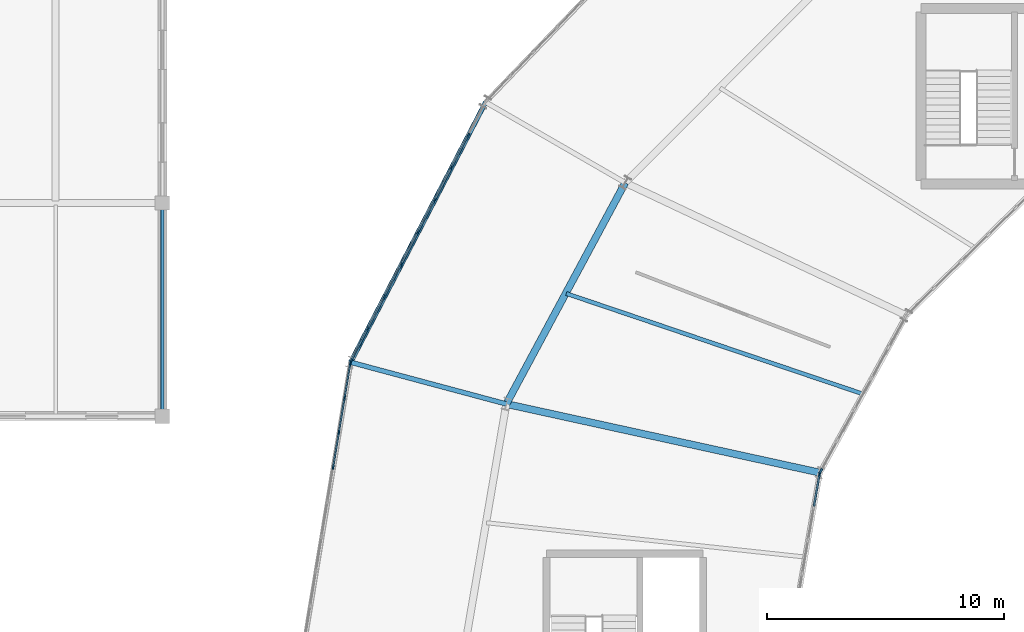
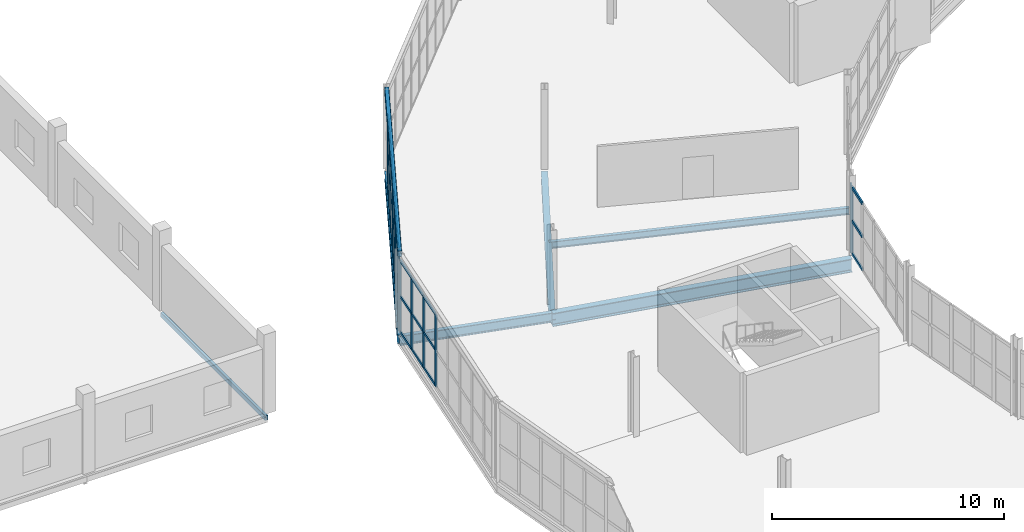
# One storey, part 57 of 161: 47 members, 7 beams, 4 elements without a shape of their own.
"""IFC4 building model written with IfcOpenShell, lengths in metres."""

import ifcopenshell
import ifcopenshell.guid

model = None  # the IFC model being written
_history = None  # IfcOwnerHistory: only IFC2X3 demands one
_inside = {}  # id of a spatial element -> (the spatial element, [elements in it])
_under = {}  # id of a project, library or spatial element -> (it, [spatial elements below it])
_declared = {}  # id of a project -> (the project, [libraries it declares])
_typed = {}  # id of a type object -> (the type object, [elements of that type])
_made_of = {}  # id of a material, layer set ... -> (it, [elements and type objects made of it])


def new_model(schema):
    """Start an empty IFC model of exactly this schema.

    Asked for "IFC4X3", IfcOpenShell would pick the latest addendum, in which some entities
    have other attributes; the version numbers below select the first issue.
    IFC2X3 requires an IfcOwnerHistory on every rooted entity: one is made here for all.
    """
    global model, _history
    if schema == "IFC4X3":
        model = ifcopenshell.file(schema_version=(4, 3, 0, 0))
    else:
        model = ifcopenshell.file(schema=schema)
    _inside.clear()
    _under.clear()
    _declared.clear()
    _typed.clear()
    _made_of.clear()
    _history = None
    if model.schema == "IFC2X3":
        org = make("IfcOrganization", Name="unknown")
        user = make(
            "IfcPersonAndOrganization",
            ThePerson=make("IfcPerson", FamilyName="unknown"),
            TheOrganization=org,
        )
        app = make(
            "IfcApplication",
            ApplicationDeveloper=org,
            Version="unknown",
            ApplicationFullName="unknown",
            ApplicationIdentifier="unknown",
        )
        _history = make(
            "IfcOwnerHistory",
            OwningUser=user,
            OwningApplication=app,
            ChangeAction="ADDED",
            CreationDate=0,
        )
    return model


def make(cls, **values):
    """One entity of the class cls with the attributes given. An attribute that is None is left unset."""
    return model.create_entity(
        cls, **{name: value for name, value in values.items() if value is not None}
    )


def rooted(cls, **values):
    """An entity with a GlobalId (a new one), such as an element, a storey or a relation."""
    return make(cls, GlobalId=ifcopenshell.guid.new(), OwnerHistory=_history, **values)


def si_unit(unit_type, name, prefix=None):
    """IfcSIUnit, for example si_unit("LENGTHUNIT", "METRE", prefix="MILLI")."""
    return make("IfcSIUnit", UnitType=unit_type, Prefix=prefix, Name=name)


def assignment(units):
    """IfcUnitAssignment: the units of a project."""
    return None if units is None else make("IfcUnitAssignment", Units=units)


def point(xyz):
    """IfcCartesianPoint."""
    return None if xyz is None else make("IfcCartesianPoint", Coordinates=xyz)


def direction(xyz):
    """IfcDirection."""
    return None if xyz is None else make("IfcDirection", DirectionRatios=xyz)


def frame(location, z_axis=None, x_axis=None):
    """IfcAxis2Placement3D, a coordinate frame: its origin and axes. An axis left out is left unset."""
    return make(
        "IfcAxis2Placement3D",
        Location=point(location),
        Axis=direction(z_axis),
        RefDirection=direction(x_axis),
    )


def frame_2d(location, x_axis=None):
    """IfcAxis2Placement2D, a coordinate frame in the plane: its origin and x axis."""
    return make(
        "IfcAxis2Placement2D", Location=point(location), RefDirection=direction(x_axis)
    )


def origin():
    """The frame at (0, 0, 0) with its axes left unset."""
    return frame((0.0, 0.0, 0.0))


def origin_2d():
    """The frame at (0, 0) in the plane with its x axis left unset."""
    return frame_2d((0.0, 0.0))


def place(relative_to, where):
    """IfcLocalPlacement: puts the frame where relative to a parent placement (None: the world)."""
    return make(
        "IfcLocalPlacement", PlacementRelTo=relative_to, RelativePlacement=where
    )


def context(
    kind, dimensions, precision=None, world=None, true_north=None, identifier=None
):
    """IfcGeometricRepresentationContext, for example the 3D "Model" context."""
    return make(
        "IfcGeometricRepresentationContext",
        ContextIdentifier=identifier,
        ContextType=kind,
        CoordinateSpaceDimension=dimensions,
        Precision=precision,
        WorldCoordinateSystem=world,
        TrueNorth=true_north,
    )


def subcontext(parent, identifier, kind, view, scale=None):
    """IfcGeometricRepresentationSubContext, for example "Body" below "Model"."""
    return make(
        "IfcGeometricRepresentationSubContext",
        ContextIdentifier=identifier,
        ContextType=kind,
        ParentContext=parent,
        TargetScale=scale,
        TargetView=view,
    )


def project(units=None, contexts=None):
    """IfcProject with its units and contexts."""
    return rooted(
        "IfcProject",
        Name="project",
        RepresentationContexts=contexts,
        UnitsInContext=assignment(units),
    )


def spatial(cls, under=None, at=None, **own):
    """A site, building, storey or space (cls), placed at a placement, below another one or the project."""
    s = rooted(cls, ObjectPlacement=at, **own)
    if under is not None:
        _under.setdefault(under.id(), (under, []))[1].append(s)
    return s


def profile(cls, at=None, kind="AREA", **sizes):
    """A parametric profile (cls). Its sizes go by their IFC names, for example OverallWidth=200.0."""
    return make(cls, ProfileType=kind, Position=at, **sizes)


def rectangle(**sizes):
    """IfcRectangleProfileDef."""
    return profile("IfcRectangleProfileDef", **sizes)


def hollow_rectangle(**sizes):
    """IfcRectangleHollowProfileDef."""
    return profile("IfcRectangleHollowProfileDef", **sizes)


def i_section(**sizes):
    """IfcIShapeProfileDef."""
    return profile("IfcIShapeProfileDef", **sizes)


def extrude(swept, where, along, depth):
    """IfcExtrudedAreaSolid: the profile swept, set in the frame where, extruded along a direction by depth."""
    return make(
        "IfcExtrudedAreaSolid",
        SweptArea=swept,
        Position=where,
        ExtrudedDirection=direction(along),
        Depth=depth,
    )


def shape(context_of_items, identifier, shape_type, items):
    """IfcShapeRepresentation: the items that make up one representation, for example the "Body"."""
    return make(
        "IfcShapeRepresentation",
        ContextOfItems=context_of_items,
        RepresentationIdentifier=identifier,
        RepresentationType=shape_type,
        Items=items,
    )


def material(Name=None, Category=None):
    """IfcMaterial."""
    return make("IfcMaterial", Name=Name, Category=Category)


def material_profile(
    of_material, cross_section, Name=None, Category=None, Priority=None
):
    """IfcMaterialProfile: a cross section and its material."""
    return make(
        "IfcMaterialProfile",
        Name=Name,
        Material=of_material,
        Profile=cross_section,
        Priority=Priority,
        Category=Category,
    )


def profile_set(profiles, Name=None, composite=None):
    """IfcMaterialProfileSet."""
    return make(
        "IfcMaterialProfileSet",
        Name=Name,
        MaterialProfiles=profiles,
        CompositeProfile=composite,
    )


def made_of(thing, what):
    """Note that an element or type object is made of a material, layer set ...; save() writes the relation."""
    if what is not None:
        _made_of.setdefault(what.id(), (what, []))[1].append(thing)
    return thing


def type_object(cls, material=None, **own):
    """A type object (cls), such as IfcWallType, which elements share."""
    return made_of(rooted(cls, **own), material)


def element(
    cls,
    number,
    at=None,
    inside=None,
    cuts=None,
    type_object=None,
    material=None,
    context=None,
    identifier="Body",
    shape_type=None,
    held_by="IfcProductDefinitionShape",
    body=None,
    shapes=None,
    **own,
):
    """One element of the class cls, such as IfcWall. Its Tag is "e" and its number.

    at: its placement. inside: the storey or other place that contains it. cuts: it is an
    opening in that element (IfcRelVoidsElement). A single representation is given by context,
    identifier, shape_type and body (its items); several are given by shapes. held_by: the class
    of the entity that holds the representations. save() writes the other relations.
    """
    e = rooted(cls, Tag="e%d" % number, ObjectPlacement=at, **own)
    if body is not None:
        shapes = [shape(context, identifier, shape_type, body)]
    if shapes is not None:
        e.Representation = make(held_by, Representations=shapes)
    if inside is not None:
        _inside.setdefault(inside.id(), (inside, []))[1].append(e)
    if cuts is not None:
        rooted(
            "IfcRelVoidsElement", RelatingBuildingElement=cuts, RelatedOpeningElement=e
        )
    if type_object is not None:
        _typed.setdefault(type_object.id(), (type_object, []))[1].append(e)
    return made_of(e, material)


def aggregate(whole, parts):
    """IfcRelAggregates: a whole, such as a stair, and the parts it consists of."""
    return rooted("IfcRelAggregates", RelatingObject=whole, RelatedObjects=parts)


def save(model, path):
    """Write the relations noted so far, then the file.

    IfcRelAggregates (storeys below a building ...), IfcRelContainedInSpatialStructure (elements
    in a storey), IfcRelDefinesByType, IfcRelAssociatesMaterial and IfcRelDeclares: one each for
    every whole, place, type object, material and project.
    """
    for whole, parts in _under.values():
        aggregate(whole, parts)
    for where, things in _inside.values():
        rooted(
            "IfcRelContainedInSpatialStructure",
            RelatedElements=things,
            RelatingStructure=where,
        )
    for kind, things in _typed.values():
        rooted("IfcRelDefinesByType", RelatedObjects=things, RelatingType=kind)
    for what, things in _made_of.values():
        rooted("IfcRelAssociatesMaterial", RelatedObjects=things, RelatingMaterial=what)
    for by, libraries in _declared.values():
        rooted("IfcRelDeclares", RelatingContext=by, RelatedDefinitions=libraries)
    model.write(path)


model = new_model("IFC4")

# Units and contexts
model_context = context("Model", 3, precision=1e-05, world=origin(), true_north=direction((0.0, 1.0)))
body_context = subcontext(model_context, "Body", "Model", "MODEL_VIEW")
ifc_project = project(units=[si_unit("LENGTHUNIT", "METRE"), si_unit("AREAUNIT", "SQUARE_METRE"), si_unit("VOLUMEUNIT", "CUBIC_METRE"), si_unit("PLANEANGLEUNIT", "RADIAN"), si_unit("MASSUNIT", "GRAM", prefix="KILO")], contexts=[model_context])

# Site, building, storey
site_placement = place(None, origin())
site = spatial("IfcSite", under=ifc_project, at=site_placement, CompositionType="ELEMENT")
building_placement = place(site_placement, origin())
building = spatial("IfcBuilding", under=site, at=building_placement, Name="Kildeholm Park Wholesale Market", CompositionType="ELEMENT")
storey_placement = place(building_placement, frame((0.0, 0.0, 5.39990234375)))
storey = spatial("IfcBuildingStorey", under=building, at=storey_placement, Name="L01", CompositionType="ELEMENT", Elevation=5.39990234375)

# Beams
ifc_material_1 = material(Name="Steel S355", Category="steel")
ifc_material_profile_1 = material_profile(ifc_material_1, i_section(OverallWidth=0.300048828125, OverallDepth=0.699951171875, WebThickness=0.01708984375, FlangeThickness=0.031982421875, FilletRadius=0.027099609375, at=origin_2d()), Name="HEB 700")
ifc_profile_set_1 = profile_set([ifc_material_profile_1], Name="Steel S355")
beam_type_1 = type_object("IfcBeamType", Name="Beam B-G01 HEB 700", PredefinedType="BEAM", material=ifc_profile_set_1)
beam_1_placement = place(storey_placement, frame((63.743896484375, 96.617919921875, -0.599853515625), z_axis=(-0.976846137752, 0.213943037181, 0.0), x_axis=(-0.213943037181, -0.976846137752, 0.0)))
element("IfcBeam", 1, at=beam_1_placement, inside=storey, type_object=beam_type_1, Name="Beam BM-V1-L01-R1-11 BM-0100", PredefinedType="BEAM", context=body_context, shape_type="SweptSolid", body=[
    extrude(i_section(OverallWidth=0.300048828125, OverallDepth=0.699951171875, WebThickness=0.01708984375, FlangeThickness=0.031982421875, FilletRadius=0.027099609375, at=origin_2d()), origin(), (0.0, 0.0, 1.0), 13.546630859375),
])
ifc_material_profile_2 = material_profile(ifc_material_1, i_section(OverallWidth=0.18994140625, OverallDepth=0.449951171875, WebThickness=0.009521484375, FlangeThickness=0.0146484375, FilletRadius=0.02099609375, at=origin_2d()), Name="IPE 450")
ifc_profile_set_2 = profile_set([ifc_material_profile_2], Name="Steel S355")
beam_type_2 = type_object("IfcBeamType", Name="Beam B-P02 IPE 450", PredefinedType="BEAM", material=ifc_profile_set_2)
beam_2_placement = place(storey_placement, frame((49.636962890625, 112.25, -0.474853515625), z_axis=(-0.460622041592, -0.887596380569, 0.0), x_axis=(0.887596380569, -0.460622041592, 0.0)))
element("IfcBeam", 2, at=beam_2_placement, inside=storey, type_object=beam_type_2, Name="Beam BM-V1-L01-CO-10 BM-0095", PredefinedType="BEAM", context=body_context, shape_type="SweptSolid", body=[
    extrude(i_section(OverallWidth=0.18994140625, OverallDepth=0.449951171875, WebThickness=0.009521484375, FlangeThickness=0.0146484375, FilletRadius=0.02099609375, at=origin_2d()), origin(), (0.0, 0.0, 1.0), 12.36376953125),
])
ifc_material_profile_3 = material_profile(ifc_material_1, i_section(OverallWidth=0.199951171875, OverallDepth=0.5, WebThickness=0.01025390625, FlangeThickness=0.01611328125, FilletRadius=0.02099609375, at=origin_2d()), Name="IPE 500")
ifc_profile_set_3 = profile_set([ifc_material_profile_3], Name="Steel S355")
beam_type_3 = type_object("IfcBeamType", Name="Beam B-P03 IPE 500", PredefinedType="BEAM", material=ifc_profile_set_3)
beam_3_placement = place(storey_placement, frame((50.510986328125, 99.51611328125, -0.5), z_axis=(-0.965941161837, 0.258761805275, 0.0), x_axis=(-0.258761805275, -0.965941161837, 0.0)))
element("IfcBeam", 3, at=beam_3_placement, inside=storey, type_object=beam_type_3, Name="Beam BM-V1-L01-R2-11 BM-0102", PredefinedType="BEAM", context=body_context, shape_type="SweptSolid", body=[
    extrude(i_section(OverallWidth=0.199951171875, OverallDepth=0.5, WebThickness=0.01025390625, FlangeThickness=0.01611328125, FilletRadius=0.02099609375, at=origin_2d()), origin(), (0.0, 0.0, 1.0), 6.80078125),
])
ifc_material_profile_4 = material_profile(ifc_material_1, i_section(OverallWidth=0.300048828125, OverallDepth=0.43994140625, WebThickness=0.011474609375, FlangeThickness=0.02099609375, FilletRadius=0.027099609375, at=origin_2d()), Name="HEA 450")
ifc_profile_set_4 = profile_set([ifc_material_profile_4], Name="Steel S355")
beam_type_4 = type_object("IfcBeamType", Name="Beam B-R02 HEA 450", PredefinedType="BEAM", material=ifc_profile_set_4)
beam_4_placement = place(storey_placement, frame((55.52587890625, 108.85009765625, -0.469970703125), z_axis=(-0.473287580572, -0.880907978211, 0.0), x_axis=(0.880907978211, -0.473287580572, 0.0)))
element("IfcBeam", 4, at=beam_4_placement, inside=storey, type_object=beam_type_4, Name="Beam BM-V1-L01-CM-10 BM-0094", PredefinedType="BEAM", context=body_context, shape_type="SweptSolid", body=[
    extrude(i_section(OverallWidth=0.300048828125, OverallDepth=0.43994140625, WebThickness=0.011474609375, FlangeThickness=0.02099609375, FilletRadius=0.027099609375, at=origin_2d()), origin(), (0.0, 0.0, 1.0), 10.595947265625),
])
ifc_material_profile_5 = material_profile(ifc_material_1, i_section(OverallWidth=0.169921875, OverallDepth=0.360107421875, WebThickness=0.008056640625, FlangeThickness=0.0126953125, FilletRadius=0.01806640625, at=origin_2d()), Name="IPE 360")
ifc_profile_set_5 = profile_set([ifc_material_profile_5], Name="Steel S355")
beam_type_5 = type_object("IfcBeamType", Name="Beam J-04 IPE 360", PredefinedType="JOIST", material=ifc_profile_set_5)
beam_5_placement = place(storey_placement, frame((65.548095703125, 99.9404296875, -0.429931640625), z_axis=(-0.947177362485, 0.320710218103, 0.0), x_axis=(-0.320710218103, -0.947177362485, 0.0)))
element("IfcBeam", 5, at=beam_5_placement, inside=storey, type_object=beam_type_5, Name="Beam JT-V1-L01-10 BM-0098", PredefinedType="JOIST", context=body_context, shape_type="SweptSolid", body=[
    extrude(i_section(OverallWidth=0.169921875, OverallDepth=0.360107421875, WebThickness=0.008056640625, FlangeThickness=0.0126953125, FilletRadius=0.01806640625, at=origin_2d()), origin(), (0.0, 0.0, 1.0), 13.20849609375),
])
ifc_material_profile_6 = material_profile(ifc_material_1, hollow_rectangle(XDim=0.199951171875, YDim=0.300048828125, WallThickness=0.012451171875, InnerFilletRadius=0.012451171875, OuterFilletRadius=0.02490234375, at=origin_2d()), Name="RHS 300x200x12.5")
ifc_profile_set_6 = profile_set([ifc_material_profile_6], Name="Steel S355")
beam_type_6 = type_object("IfcBeamType", Name="Beam SP-01 RHS 300x200x12.5", PredefinedType="SPANDREL", material=ifc_profile_set_6)
beam_6_placement = place(storey_placement, frame((49.636962890625, 112.25, 4.022705078125), z_axis=(-0.460622041592, -0.887596380569, 0.0), x_axis=(0.887596380569, -0.460622041592, 0.0)))
element("IfcBeam", 6, at=beam_6_placement, inside=storey, type_object=beam_type_6, Name="Beam SP-V1-EAV-10 BM-0280", PredefinedType="SPANDREL", context=body_context, shape_type="SweptSolid", body=[
    extrude(hollow_rectangle(XDim=0.199951171875, YDim=0.300048828125, WallThickness=0.012451171875, InnerFilletRadius=0.012451171875, OuterFilletRadius=0.02490234375, at=origin_2d()), origin(), (0.0, 0.0, 1.0), 12.36376953125),
])
ifc_material_profile_7 = material_profile(ifc_material_1, hollow_rectangle(XDim=0.14990234375, YDim=0.25, WallThickness=0.010009765625, InnerFilletRadius=0.010009765625, OuterFilletRadius=0.02001953125, at=origin_2d()), Name="RHS 250x150x10")
ifc_profile_set_7 = profile_set([ifc_material_profile_7], Name="Steel S355")
beam_type_7 = type_object("IfcBeamType", Name="Beam SP-02 RHS 250x150x10", PredefinedType="SPANDREL", material=ifc_profile_set_7)
beam_7_placement = place(storey_placement, frame((36.0, 99.0, -0.44482421875), z_axis=(0.0, 1.0, 0.0), x_axis=(-1.0, 0.0, 0.0)))
element("IfcBeam", 7, at=beam_7_placement, inside=storey, type_object=beam_type_7, Name="Beam BM-V4-L01-Y-036-099 BM-0780", PredefinedType="SPANDREL", context=body_context, shape_type="SweptSolid", body=[
    extrude(hollow_rectangle(XDim=0.14990234375, YDim=0.25, WallThickness=0.010009765625, InnerFilletRadius=0.010009765625, OuterFilletRadius=0.02001953125, at=origin_2d()), origin(), (0.0, 0.0, 1.0), 9.0),
])

# Curtain wall, members
ifc_material_2 = material(Name="Anodised aluminium and low-E double-glazed glass", Category="aluminium")
curtain_wall_type = type_object("IfcCurtainWallType", Name="Market hall glazed arcade stick curtain wall CW-01", PredefinedType="NOTDEFINED", material=ifc_material_2)
curtain_wall_1_placement = place(storey_placement, origin())
curtain_wall_1 = element("IfcCurtainWall", 8, at=curtain_wall_1_placement, inside=storey, type_object=curtain_wall_type, Name="Curtain wall CW-V1-OT-10-1 CW-0049", PredefinedType="NOTDEFINED")
ifc_material_3 = material(Name="Anodised aluminium", Category="aluminium")
ifc_material_profile_8 = material_profile(ifc_material_3, rectangle(XDim=0.06494140625, YDim=0.179931640625, at=origin_2d()), Name="CWM 65x180")
ifc_profile_set_8 = profile_set([ifc_material_profile_8], Name="Anodised aluminium")
member_type_1 = type_object("IfcMemberType", Name="Curtain-wall mullion CWM-1 CWM 65x180", PredefinedType="MULLION", material=ifc_profile_set_8)
member_1_placement = place(storey_placement, frame((48.90478515625, 110.85400390625, 0.0), z_axis=(0.0, 0.0, 1.0), x_axis=(0.88765224586, -0.460514375909, 0.0)))
member_1 = element("IfcMember", 9, at=member_1_placement, type_object=member_type_1, Name="CW-01 mullion 2 MEM-1747", PredefinedType="MULLION", context=body_context, shape_type="SweptSolid", body=[
    extrude(rectangle(XDim=0.06494140625, YDim=0.179931640625, at=origin_2d()), origin(), (0.0, 0.0, 1.0), 3.800048828125),
])
member_2_placement = place(storey_placement, frame((48.19775390625, 109.490966796875, 0.0), z_axis=(0.0, 0.0, 1.0), x_axis=(0.88765224586, -0.460514375909, 0.0)))
member_2 = element("IfcMember", 10, at=member_2_placement, type_object=member_type_1, Name="CW-01 mullion 3 MEM-1748", PredefinedType="MULLION", context=body_context, shape_type="SweptSolid", body=[
    extrude(rectangle(XDim=0.06494140625, YDim=0.179931640625, at=origin_2d()), origin(), (0.0, 0.0, 1.0), 3.800048828125),
])
member_3_placement = place(storey_placement, frame((47.49072265625, 108.1279296875, 0.0), z_axis=(0.0, 0.0, 1.0), x_axis=(0.88765224586, -0.460514375909, 0.0)))
member_3 = element("IfcMember", 11, at=member_3_placement, type_object=member_type_1, Name="CW-01 mullion 4 MEM-1749", PredefinedType="MULLION", context=body_context, shape_type="SweptSolid", body=[
    extrude(rectangle(XDim=0.06494140625, YDim=0.179931640625, at=origin_2d()), origin(), (0.0, 0.0, 1.0), 3.800048828125),
])
member_4_placement = place(storey_placement, frame((46.783447265625, 106.764892578125, 0.0), z_axis=(0.0, 0.0, 1.0), x_axis=(0.88765224586, -0.460514375909, 0.0)))
member_4 = element("IfcMember", 12, at=member_4_placement, type_object=member_type_1, Name="CW-01 mullion 5 MEM-1750", PredefinedType="MULLION", context=body_context, shape_type="SweptSolid", body=[
    extrude(rectangle(XDim=0.06494140625, YDim=0.179931640625, at=origin_2d()), origin(), (0.0, 0.0, 1.0), 3.800048828125),
])
member_5_placement = place(storey_placement, frame((46.076416015625, 105.402099609375, 0.0), z_axis=(0.0, 0.0, 1.0), x_axis=(0.88765224586, -0.460514375909, 0.0)))
member_5 = element("IfcMember", 13, at=member_5_placement, type_object=member_type_1, Name="CW-01 mullion 6 MEM-1751", PredefinedType="MULLION", context=body_context, shape_type="SweptSolid", body=[
    extrude(rectangle(XDim=0.06494140625, YDim=0.179931640625, at=origin_2d()), origin(), (0.0, 0.0, 1.0), 3.800048828125),
])
member_6_placement = place(storey_placement, frame((45.369140625, 104.0390625, 0.0), z_axis=(0.0, 0.0, 1.0), x_axis=(0.88765224586, -0.460514375909, 0.0)))
member_6 = element("IfcMember", 14, at=member_6_placement, type_object=member_type_1, Name="CW-01 mullion 7 MEM-1752", PredefinedType="MULLION", context=body_context, shape_type="SweptSolid", body=[
    extrude(rectangle(XDim=0.06494140625, YDim=0.179931640625, at=origin_2d()), origin(), (0.0, 0.0, 1.0), 3.800048828125),
])
member_7_placement = place(storey_placement, frame((44.662109375, 102.676025390625, 0.0), z_axis=(0.0, 0.0, 1.0), x_axis=(0.88765224586, -0.460514375909, 0.0)))
member_7 = element("IfcMember", 15, at=member_7_placement, type_object=member_type_1, Name="CW-01 mullion 8 MEM-1753", PredefinedType="MULLION", context=body_context, shape_type="SweptSolid", body=[
    extrude(rectangle(XDim=0.06494140625, YDim=0.179931640625, at=origin_2d()), origin(), (0.0, 0.0, 1.0), 3.800048828125),
])
member_8_placement = place(storey_placement, frame((43.969970703125, 101.341796875, 0.0), z_axis=(0.0, 0.0, 1.0), x_axis=(0.88765224586, -0.460514375909, 0.0)))
member_8 = element("IfcMember", 16, at=member_8_placement, type_object=member_type_1, Name="CW-01 mullion 9 MEM-1754", PredefinedType="MULLION", context=body_context, shape_type="SweptSolid", body=[
    extrude(rectangle(XDim=0.06494140625, YDim=0.179931640625, at=origin_2d()), origin(), (0.0, 0.0, 1.0), 3.800048828125),
])

curtain_wall_2_placement = place(storey_placement, origin())
curtain_wall_2 = element("IfcCurtainWall", 17, at=curtain_wall_2_placement, inside=storey, type_object=curtain_wall_type, Name="Curtain wall CW-V1-OT-11-1 CW-0054", PredefinedType="NOTDEFINED")
member_9_placement = place(storey_placement, frame((43.923828125, 101.2060546875, 0.0), z_axis=(0.0, 0.0, 1.0), x_axis=(0.98667513756, -0.162702713317, 0.0)))
member_9 = element("IfcMember", 18, at=member_9_placement, type_object=member_type_1, Name="CW-01 mullion 1 MEM-1871", PredefinedType="MULLION", context=body_context, shape_type="SweptSolid", body=[
    extrude(rectangle(XDim=0.06494140625, YDim=0.179931640625, at=origin_2d()), origin(), (0.0, 0.0, 1.0), 3.800048828125),
])
member_10_placement = place(storey_placement, frame((43.68798828125, 99.775634765625, 0.0), z_axis=(0.0, 0.0, 1.0), x_axis=(0.98667513756, -0.162702713317, 0.0)))
member_10 = element("IfcMember", 19, at=member_10_placement, type_object=member_type_1, Name="CW-01 mullion 2 MEM-1872", PredefinedType="MULLION", context=body_context, shape_type="SweptSolid", body=[
    extrude(rectangle(XDim=0.06494140625, YDim=0.179931640625, at=origin_2d()), origin(), (0.0, 0.0, 1.0), 3.800048828125),
])
member_11_placement = place(storey_placement, frame((43.44677734375, 98.3134765625, 0.0), z_axis=(0.0, 0.0, 1.0), x_axis=(0.98667513756, -0.162702713317, 0.0)))
member_11 = element("IfcMember", 20, at=member_11_placement, type_object=member_type_1, Name="CW-01 mullion 3 MEM-1873", PredefinedType="MULLION", context=body_context, shape_type="SweptSolid", body=[
    extrude(rectangle(XDim=0.06494140625, YDim=0.179931640625, at=origin_2d()), origin(), (0.0, 0.0, 1.0), 3.800048828125),
])
member_12_placement = place(storey_placement, frame((43.20556640625, 96.851318359375, 0.0), z_axis=(0.0, 0.0, 1.0), x_axis=(0.98667513756, -0.162702713317, 0.0)))
member_12 = element("IfcMember", 21, at=member_12_placement, type_object=member_type_1, Name="CW-01 mullion 4 MEM-1874", PredefinedType="MULLION", context=body_context, shape_type="SweptSolid", body=[
    extrude(rectangle(XDim=0.06494140625, YDim=0.179931640625, at=origin_2d()), origin(), (0.0, 0.0, 1.0), 3.800048828125),
])

# Curtain wall, member
curtain_wall_3_placement = place(storey_placement, origin())
curtain_wall_3 = element("IfcCurtainWall", 22, at=curtain_wall_3_placement, inside=storey, type_object=curtain_wall_type, Name="Curtain wall CW-V1-IN1-10 CW-0052", PredefinedType="NOTDEFINED")
ifc_material_profile_9 = material_profile(ifc_material_3, rectangle(XDim=0.074951171875, YDim=0.219970703125, at=origin_2d()), Name="CWM 75x220")
ifc_profile_set_9 = profile_set([ifc_material_profile_9], Name="Anodised aluminium")
member_type_2 = type_object("IfcMemberType", Name="Curtain-wall mullion CWM-2 CWM 75x220", PredefinedType="MULLION", material=ifc_profile_set_9)
member_13_placement = place(storey_placement, frame((63.775146484375, 96.686767578125, 0.0), z_axis=(0.0, 0.0, 1.0), x_axis=(0.876308922506, -0.481749595055, 0.0)))
member_13 = element("IfcMember", 23, at=member_13_placement, type_object=member_type_2, Name="CW-01 mullion 6 MEM-1834", PredefinedType="MULLION", context=body_context, shape_type="SweptSolid", body=[
    extrude(rectangle(XDim=0.074951171875, YDim=0.219970703125, at=origin_2d()), origin(), (0.0, 0.0, 1.0), 3.550048828125),
])
aggregate(curtain_wall_3, [member_13])

curtain_wall_4_placement = place(storey_placement, origin())
curtain_wall_4 = element("IfcCurtainWall", 24, at=curtain_wall_4_placement, inside=storey, type_object=curtain_wall_type, Name="Curtain wall CW-V1-IN1-11 CW-0057", PredefinedType="NOTDEFINED")
member_14_placement = place(storey_placement, frame((63.7236328125, 96.5419921875, 0.0), z_axis=(0.0, 0.0, 1.0), x_axis=(0.985073802851, -0.172132515628, 0.0)))
member_14 = element("IfcMember", 25, at=member_14_placement, type_object=member_type_2, Name="CW-01 mullion 1 MEM-1954", PredefinedType="MULLION", context=body_context, shape_type="SweptSolid", body=[
    extrude(rectangle(XDim=0.074951171875, YDim=0.219970703125, at=origin_2d()), origin(), (0.0, 0.0, 1.0), 3.550048828125),
])

# Member
ifc_material_profile_10 = material_profile(ifc_material_3, rectangle(XDim=0.06494140625, YDim=0.139892578125, at=origin_2d()), Name="CWT 65x140")
ifc_profile_set_10 = profile_set([ifc_material_profile_10], Name="Anodised aluminium")
member_type_3 = type_object("IfcMemberType", Name="Curtain-wall transom CWT-1 CWT 65x140", PredefinedType="USERDEFINED", material=ifc_profile_set_10)
member_15_placement = place(storey_placement, frame((48.889892578125, 110.8251953125, 0.03271484375), z_axis=(-0.460510981056, -0.887654007104, 0.0), x_axis=(0.887654007104, -0.460510981056, 0.0)))
member_15 = element("IfcMember", 26, at=member_15_placement, type_object=member_type_3, Name="CW-01 transom 2.1 MEM-1758", ObjectType="TRANSOM", PredefinedType="USERDEFINED", context=body_context, shape_type="SweptSolid", body=[
    extrude(rectangle(XDim=0.06494140625, YDim=0.139892578125, at=origin_2d()), origin(), (0.0, 0.0, 1.0), 1.470703125),
])

member_16_placement = place(storey_placement, frame((48.889892578125, 110.8251953125, 1.900146484375), z_axis=(-0.460510981056, -0.887654007104, 0.0), x_axis=(0.887654007104, -0.460510981056, 0.0)))
member_16 = element("IfcMember", 27, at=member_16_placement, type_object=member_type_3, Name="CW-01 transom 2.2 MEM-1759", ObjectType="TRANSOM", PredefinedType="USERDEFINED", context=body_context, shape_type="SweptSolid", body=[
    extrude(rectangle(XDim=0.06494140625, YDim=0.139892578125, at=origin_2d()), origin(), (0.0, 0.0, 1.0), 1.470703125),
])

member_17_placement = place(storey_placement, frame((48.889892578125, 110.8251953125, 3.767578125), z_axis=(-0.460510981056, -0.887654007104, 0.0), x_axis=(0.887654007104, -0.460510981056, 0.0)))
member_17 = element("IfcMember", 28, at=member_17_placement, type_object=member_type_3, Name="CW-01 transom 2.3 MEM-1760", ObjectType="TRANSOM", PredefinedType="USERDEFINED", context=body_context, shape_type="SweptSolid", body=[
    extrude(rectangle(XDim=0.06494140625, YDim=0.139892578125, at=origin_2d()), origin(), (0.0, 0.0, 1.0), 1.470703125),
])

member_18_placement = place(storey_placement, frame((48.182861328125, 109.462158203125, 0.03271484375), z_axis=(-0.460510981056, -0.887654007104, 0.0), x_axis=(0.887654007104, -0.460510981056, 0.0)))
member_18 = element("IfcMember", 29, at=member_18_placement, type_object=member_type_3, Name="CW-01 transom 3.1 MEM-1761", ObjectType="TRANSOM", PredefinedType="USERDEFINED", context=body_context, shape_type="SweptSolid", body=[
    extrude(rectangle(XDim=0.06494140625, YDim=0.139892578125, at=origin_2d()), origin(), (0.0, 0.0, 1.0), 1.470703125),
])

member_19_placement = place(storey_placement, frame((48.182861328125, 109.462158203125, 1.900146484375), z_axis=(-0.460510981056, -0.887654007104, 0.0), x_axis=(0.887654007104, -0.460510981056, 0.0)))
member_19 = element("IfcMember", 30, at=member_19_placement, type_object=member_type_3, Name="CW-01 transom 3.2 MEM-1762", ObjectType="TRANSOM", PredefinedType="USERDEFINED", context=body_context, shape_type="SweptSolid", body=[
    extrude(rectangle(XDim=0.06494140625, YDim=0.139892578125, at=origin_2d()), origin(), (0.0, 0.0, 1.0), 1.470703125),
])

member_20_placement = place(storey_placement, frame((48.182861328125, 109.462158203125, 3.767578125), z_axis=(-0.460510981056, -0.887654007104, 0.0), x_axis=(0.887654007104, -0.460510981056, 0.0)))
member_20 = element("IfcMember", 31, at=member_20_placement, type_object=member_type_3, Name="CW-01 transom 3.3 MEM-1763", ObjectType="TRANSOM", PredefinedType="USERDEFINED", context=body_context, shape_type="SweptSolid", body=[
    extrude(rectangle(XDim=0.06494140625, YDim=0.139892578125, at=origin_2d()), origin(), (0.0, 0.0, 1.0), 1.470703125),
])

member_21_placement = place(storey_placement, frame((47.4755859375, 108.09912109375, 0.03271484375), z_axis=(-0.460448022353, -0.887686666967, 0.0), x_axis=(0.887686666967, -0.460448022353, 0.0)))
member_21 = element("IfcMember", 32, at=member_21_placement, type_object=member_type_3, Name="CW-01 transom 4.1 MEM-1764", ObjectType="TRANSOM", PredefinedType="USERDEFINED", context=body_context, shape_type="SweptSolid", body=[
    extrude(rectangle(XDim=0.06494140625, YDim=0.139892578125, at=origin_2d()), origin(), (0.0, 0.0, 1.0), 1.47021484375),
])

member_22_placement = place(storey_placement, frame((47.4755859375, 108.09912109375, 1.900146484375), z_axis=(-0.460448022353, -0.887686666967, 0.0), x_axis=(0.887686666967, -0.460448022353, 0.0)))
member_22 = element("IfcMember", 33, at=member_22_placement, type_object=member_type_3, Name="CW-01 transom 4.2 MEM-1765", ObjectType="TRANSOM", PredefinedType="USERDEFINED", context=body_context, shape_type="SweptSolid", body=[
    extrude(rectangle(XDim=0.06494140625, YDim=0.139892578125, at=origin_2d()), origin(), (0.0, 0.0, 1.0), 1.47021484375),
])

member_23_placement = place(storey_placement, frame((47.4755859375, 108.09912109375, 3.767578125), z_axis=(-0.460448022353, -0.887686666967, 0.0), x_axis=(0.887686666967, -0.460448022353, 0.0)))
member_23 = element("IfcMember", 34, at=member_23_placement, type_object=member_type_3, Name="CW-01 transom 4.3 MEM-1766", ObjectType="TRANSOM", PredefinedType="USERDEFINED", context=body_context, shape_type="SweptSolid", body=[
    extrude(rectangle(XDim=0.06494140625, YDim=0.139892578125, at=origin_2d()), origin(), (0.0, 0.0, 1.0), 1.47021484375),
])

member_24_placement = place(storey_placement, frame((46.7685546875, 106.736083984375, 0.03271484375), z_axis=(-0.46057885024, -0.887618793577, 0.0), x_axis=(0.887618793577, -0.46057885024, 0.0)))
member_24 = element("IfcMember", 35, at=member_24_placement, type_object=member_type_3, Name="CW-01 transom 5.1 MEM-1767", ObjectType="TRANSOM", PredefinedType="USERDEFINED", context=body_context, shape_type="SweptSolid", body=[
    extrude(rectangle(XDim=0.06494140625, YDim=0.139892578125, at=origin_2d()), origin(), (0.0, 0.0, 1.0), 1.470458984375),
])

member_25_placement = place(storey_placement, frame((46.7685546875, 106.736083984375, 1.900146484375), z_axis=(-0.46057885024, -0.887618793577, 0.0), x_axis=(0.887618793577, -0.46057885024, 0.0)))
member_25 = element("IfcMember", 36, at=member_25_placement, type_object=member_type_3, Name="CW-01 transom 5.2 MEM-1768", ObjectType="TRANSOM", PredefinedType="USERDEFINED", context=body_context, shape_type="SweptSolid", body=[
    extrude(rectangle(XDim=0.06494140625, YDim=0.139892578125, at=origin_2d()), origin(), (0.0, 0.0, 1.0), 1.470458984375),
])

member_26_placement = place(storey_placement, frame((46.7685546875, 106.736083984375, 3.767578125), z_axis=(-0.46057885024, -0.887618793577, 0.0), x_axis=(0.887618793577, -0.46057885024, 0.0)))
member_26 = element("IfcMember", 37, at=member_26_placement, type_object=member_type_3, Name="CW-01 transom 5.3 MEM-1769", ObjectType="TRANSOM", PredefinedType="USERDEFINED", context=body_context, shape_type="SweptSolid", body=[
    extrude(rectangle(XDim=0.06494140625, YDim=0.139892578125, at=origin_2d()), origin(), (0.0, 0.0, 1.0), 1.470458984375),
])

member_27_placement = place(storey_placement, frame((46.0615234375, 105.373046875, 0.03271484375), z_axis=(-0.46057885024, -0.887618793577, 0.0), x_axis=(0.887618793577, -0.46057885024, 0.0)))
member_27 = element("IfcMember", 38, at=member_27_placement, type_object=member_type_3, Name="CW-01 transom 6.1 MEM-1770", ObjectType="TRANSOM", PredefinedType="USERDEFINED", context=body_context, shape_type="SweptSolid", body=[
    extrude(rectangle(XDim=0.06494140625, YDim=0.139892578125, at=origin_2d()), origin(), (0.0, 0.0, 1.0), 1.470458984375),
])

member_28_placement = place(storey_placement, frame((46.0615234375, 105.373046875, 1.900146484375), z_axis=(-0.46057885024, -0.887618793577, 0.0), x_axis=(0.887618793577, -0.46057885024, 0.0)))
member_28 = element("IfcMember", 39, at=member_28_placement, type_object=member_type_3, Name="CW-01 transom 6.2 MEM-1771", ObjectType="TRANSOM", PredefinedType="USERDEFINED", context=body_context, shape_type="SweptSolid", body=[
    extrude(rectangle(XDim=0.06494140625, YDim=0.139892578125, at=origin_2d()), origin(), (0.0, 0.0, 1.0), 1.470458984375),
])

member_29_placement = place(storey_placement, frame((46.0615234375, 105.373046875, 3.767578125), z_axis=(-0.46057885024, -0.887618793577, 0.0), x_axis=(0.887618793577, -0.46057885024, 0.0)))
member_29 = element("IfcMember", 40, at=member_29_placement, type_object=member_type_3, Name="CW-01 transom 6.3 MEM-1772", ObjectType="TRANSOM", PredefinedType="USERDEFINED", context=body_context, shape_type="SweptSolid", body=[
    extrude(rectangle(XDim=0.06494140625, YDim=0.139892578125, at=origin_2d()), origin(), (0.0, 0.0, 1.0), 1.470458984375),
])

member_30_placement = place(storey_placement, frame((45.354248046875, 104.01025390625, 0.03271484375), z_axis=(-0.460510981056, -0.887654007104, 0.0), x_axis=(0.887654007104, -0.460510981056, 0.0)))
member_30 = element("IfcMember", 41, at=member_30_placement, type_object=member_type_3, Name="CW-01 transom 7.1 MEM-1773", ObjectType="TRANSOM", PredefinedType="USERDEFINED", context=body_context, shape_type="SweptSolid", body=[
    extrude(rectangle(XDim=0.06494140625, YDim=0.139892578125, at=origin_2d()), origin(), (0.0, 0.0, 1.0), 1.470703125),
])

member_31_placement = place(storey_placement, frame((45.354248046875, 104.01025390625, 1.900146484375), z_axis=(-0.460510981056, -0.887654007104, 0.0), x_axis=(0.887654007104, -0.460510981056, 0.0)))
member_31 = element("IfcMember", 42, at=member_31_placement, type_object=member_type_3, Name="CW-01 transom 7.2 MEM-1774", ObjectType="TRANSOM", PredefinedType="USERDEFINED", context=body_context, shape_type="SweptSolid", body=[
    extrude(rectangle(XDim=0.06494140625, YDim=0.139892578125, at=origin_2d()), origin(), (0.0, 0.0, 1.0), 1.470703125),
])

member_32_placement = place(storey_placement, frame((45.354248046875, 104.01025390625, 3.767578125), z_axis=(-0.460510981056, -0.887654007104, 0.0), x_axis=(0.887654007104, -0.460510981056, 0.0)))
member_32 = element("IfcMember", 43, at=member_32_placement, type_object=member_type_3, Name="CW-01 transom 7.3 MEM-1775", ObjectType="TRANSOM", PredefinedType="USERDEFINED", context=body_context, shape_type="SweptSolid", body=[
    extrude(rectangle(XDim=0.06494140625, YDim=0.139892578125, at=origin_2d()), origin(), (0.0, 0.0, 1.0), 1.470703125),
])

member_33_placement = place(storey_placement, frame((44.647216796875, 102.647216796875, 0.03271484375), z_axis=(-0.460540122908, -0.887638887832, 0.0), x_axis=(0.887638887832, -0.460540122908, 0.0)))
member_33 = element("IfcMember", 44, at=member_33_placement, type_object=member_type_3, Name="CW-01 transom 8.1 MEM-1776", ObjectType="TRANSOM", PredefinedType="USERDEFINED", context=body_context, shape_type="SweptSolid", body=[
    extrude(rectangle(XDim=0.06494140625, YDim=0.139892578125, at=origin_2d()), origin(), (0.0, 0.0, 1.0), 1.438232421875),
])

member_34_placement = place(storey_placement, frame((44.647216796875, 102.647216796875, 1.900146484375), z_axis=(-0.460540122908, -0.887638887832, 0.0), x_axis=(0.887638887832, -0.460540122908, 0.0)))
member_34 = element("IfcMember", 45, at=member_34_placement, type_object=member_type_3, Name="CW-01 transom 8.2 MEM-1777", ObjectType="TRANSOM", PredefinedType="USERDEFINED", context=body_context, shape_type="SweptSolid", body=[
    extrude(rectangle(XDim=0.06494140625, YDim=0.139892578125, at=origin_2d()), origin(), (0.0, 0.0, 1.0), 1.438232421875),
])

member_35_placement = place(storey_placement, frame((44.647216796875, 102.647216796875, 3.767578125), z_axis=(-0.460540122908, -0.887638887832, 0.0), x_axis=(0.887638887832, -0.460540122908, 0.0)))
member_35 = element("IfcMember", 46, at=member_35_placement, type_object=member_type_3, Name="CW-01 transom 8.3 MEM-1778", ObjectType="TRANSOM", PredefinedType="USERDEFINED", context=body_context, shape_type="SweptSolid", body=[
    extrude(rectangle(XDim=0.06494140625, YDim=0.139892578125, at=origin_2d()), origin(), (0.0, 0.0, 1.0), 1.438232421875),
])

aggregate(curtain_wall_1, [member_1, member_2, member_3, member_4, member_5, member_6, member_7, member_8, member_15, member_16, member_17, member_18, member_19, member_20, member_21, member_22, member_23, member_24, member_25, member_26, member_27, member_28, member_29, member_30, member_31, member_32, member_33, member_34, member_35])

member_36_placement = place(storey_placement, frame((43.91845703125, 101.173828125, 0.03271484375), z_axis=(-0.162768740023, -0.986664247488, 0.0), x_axis=(0.986664247488, -0.162768740023, 0.0)))
member_36 = element("IfcMember", 47, at=member_36_placement, type_object=member_type_3, Name="CW-01 transom 1.1 MEM-1880", ObjectType="TRANSOM", PredefinedType="USERDEFINED", context=body_context, shape_type="SweptSolid", body=[
    extrude(rectangle(XDim=0.06494140625, YDim=0.139892578125, at=origin_2d()), origin(), (0.0, 0.0, 1.0), 1.384521484375),
])

member_37_placement = place(storey_placement, frame((43.91845703125, 101.173828125, 1.900146484375), z_axis=(-0.162768740023, -0.986664247488, 0.0), x_axis=(0.986664247488, -0.162768740023, 0.0)))
member_37 = element("IfcMember", 48, at=member_37_placement, type_object=member_type_3, Name="CW-01 transom 1.2 MEM-1881", ObjectType="TRANSOM", PredefinedType="USERDEFINED", context=body_context, shape_type="SweptSolid", body=[
    extrude(rectangle(XDim=0.06494140625, YDim=0.139892578125, at=origin_2d()), origin(), (0.0, 0.0, 1.0), 1.384521484375),
])

member_38_placement = place(storey_placement, frame((43.91845703125, 101.173828125, 3.767578125), z_axis=(-0.162768740023, -0.986664247488, 0.0), x_axis=(0.986664247488, -0.162768740023, 0.0)))
member_38 = element("IfcMember", 49, at=member_38_placement, type_object=member_type_3, Name="CW-01 transom 1.3 MEM-1882", ObjectType="TRANSOM", PredefinedType="USERDEFINED", context=body_context, shape_type="SweptSolid", body=[
    extrude(rectangle(XDim=0.06494140625, YDim=0.139892578125, at=origin_2d()), origin(), (0.0, 0.0, 1.0), 1.384521484375),
])

member_39_placement = place(storey_placement, frame((43.6826171875, 99.74365234375, 0.03271484375), z_axis=(-0.162638607798, -0.98668570642, 0.0), x_axis=(0.98668570642, -0.162638607798, 0.0)))
member_39 = element("IfcMember", 50, at=member_39_placement, type_object=member_type_3, Name="CW-01 transom 2.1 MEM-1883", ObjectType="TRANSOM", PredefinedType="USERDEFINED", context=body_context, shape_type="SweptSolid", body=[
    extrude(rectangle(XDim=0.06494140625, YDim=0.139892578125, at=origin_2d()), origin(), (0.0, 0.0, 1.0), 1.4169921875),
])

member_40_placement = place(storey_placement, frame((43.6826171875, 99.74365234375, 1.900146484375), z_axis=(-0.162638607798, -0.98668570642, 0.0), x_axis=(0.98668570642, -0.162638607798, 0.0)))
member_40 = element("IfcMember", 51, at=member_40_placement, type_object=member_type_3, Name="CW-01 transom 2.2 MEM-1884", ObjectType="TRANSOM", PredefinedType="USERDEFINED", context=body_context, shape_type="SweptSolid", body=[
    extrude(rectangle(XDim=0.06494140625, YDim=0.139892578125, at=origin_2d()), origin(), (0.0, 0.0, 1.0), 1.4169921875),
])

member_41_placement = place(storey_placement, frame((43.6826171875, 99.74365234375, 3.767578125), z_axis=(-0.162638607798, -0.98668570642, 0.0), x_axis=(0.98668570642, -0.162638607798, 0.0)))
member_41 = element("IfcMember", 52, at=member_41_placement, type_object=member_type_3, Name="CW-01 transom 2.3 MEM-1885", ObjectType="TRANSOM", PredefinedType="USERDEFINED", context=body_context, shape_type="SweptSolid", body=[
    extrude(rectangle(XDim=0.06494140625, YDim=0.139892578125, at=origin_2d()), origin(), (0.0, 0.0, 1.0), 1.4169921875),
])

member_42_placement = place(storey_placement, frame((43.44140625, 98.281494140625, 0.03271484375), z_axis=(-0.162638607798, -0.98668570642, 0.0), x_axis=(0.98668570642, -0.162638607798, 0.0)))
member_42 = element("IfcMember", 53, at=member_42_placement, type_object=member_type_3, Name="CW-01 transom 3.1 MEM-1886", ObjectType="TRANSOM", PredefinedType="USERDEFINED", context=body_context, shape_type="SweptSolid", body=[
    extrude(rectangle(XDim=0.06494140625, YDim=0.139892578125, at=origin_2d()), origin(), (0.0, 0.0, 1.0), 1.4169921875),
])

member_43_placement = place(storey_placement, frame((43.44140625, 98.281494140625, 1.900146484375), z_axis=(-0.162638607798, -0.98668570642, 0.0), x_axis=(0.98668570642, -0.162638607798, 0.0)))
member_43 = element("IfcMember", 54, at=member_43_placement, type_object=member_type_3, Name="CW-01 transom 3.2 MEM-1887", ObjectType="TRANSOM", PredefinedType="USERDEFINED", context=body_context, shape_type="SweptSolid", body=[
    extrude(rectangle(XDim=0.06494140625, YDim=0.139892578125, at=origin_2d()), origin(), (0.0, 0.0, 1.0), 1.4169921875),
])

member_44_placement = place(storey_placement, frame((43.44140625, 98.281494140625, 3.767578125), z_axis=(-0.162638607798, -0.98668570642, 0.0), x_axis=(0.98668570642, -0.162638607798, 0.0)))
member_44 = element("IfcMember", 55, at=member_44_placement, type_object=member_type_3, Name="CW-01 transom 3.3 MEM-1888", ObjectType="TRANSOM", PredefinedType="USERDEFINED", context=body_context, shape_type="SweptSolid", body=[
    extrude(rectangle(XDim=0.06494140625, YDim=0.139892578125, at=origin_2d()), origin(), (0.0, 0.0, 1.0), 1.4169921875),
])

aggregate(curtain_wall_2, [member_9, member_10, member_11, member_12, member_36, member_37, member_38, member_39, member_40, member_41, member_42, member_43, member_44])

ifc_material_profile_11 = material_profile(ifc_material_3, rectangle(XDim=0.074951171875, YDim=0.159912109375, at=origin_2d()), Name="CWT 75x160")
ifc_profile_set_11 = profile_set([ifc_material_profile_11], Name="Anodised aluminium")
member_type_4 = type_object("IfcMemberType", Name="Curtain-wall transom CWT-2 CWT 75x160", PredefinedType="USERDEFINED", material=ifc_profile_set_11)
member_45_placement = place(storey_placement, frame((63.717041015625, 96.505126953125, 0.03759765625), z_axis=(-0.172092430067, -0.985080806591, 0.0), x_axis=(0.985080806591, -0.172092430067, 0.0)))
member_45 = element("IfcMember", 56, at=member_45_placement, type_object=member_type_4, Name="CW-01 transom 1.1 MEM-1960", ObjectType="TRANSOM", PredefinedType="USERDEFINED", context=body_context, shape_type="SweptSolid", body=[
    extrude(rectangle(XDim=0.074951171875, YDim=0.159912109375, at=origin_2d()), origin(), (0.0, 0.0, 1.0), 1.31640625),
])

member_46_placement = place(storey_placement, frame((63.717041015625, 96.505126953125, 1.775146484375), z_axis=(-0.172092430067, -0.985080806591, 0.0), x_axis=(0.985080806591, -0.172092430067, 0.0)))
member_46 = element("IfcMember", 57, at=member_46_placement, type_object=member_type_4, Name="CW-01 transom 1.2 MEM-1961", ObjectType="TRANSOM", PredefinedType="USERDEFINED", context=body_context, shape_type="SweptSolid", body=[
    extrude(rectangle(XDim=0.074951171875, YDim=0.159912109375, at=origin_2d()), origin(), (0.0, 0.0, 1.0), 1.31640625),
])

member_47_placement = place(storey_placement, frame((63.717041015625, 96.505126953125, 3.5126953125), z_axis=(-0.172092430067, -0.985080806591, 0.0), x_axis=(0.985080806591, -0.172092430067, 0.0)))
member_47 = element("IfcMember", 58, at=member_47_placement, type_object=member_type_4, Name="CW-01 transom 1.3 MEM-1962", ObjectType="TRANSOM", PredefinedType="USERDEFINED", context=body_context, shape_type="SweptSolid", body=[
    extrude(rectangle(XDim=0.074951171875, YDim=0.159912109375, at=origin_2d()), origin(), (0.0, 0.0, 1.0), 1.31640625),
])

aggregate(curtain_wall_4, [member_14, member_45, member_46, member_47])

save(model, "model.ifc")
